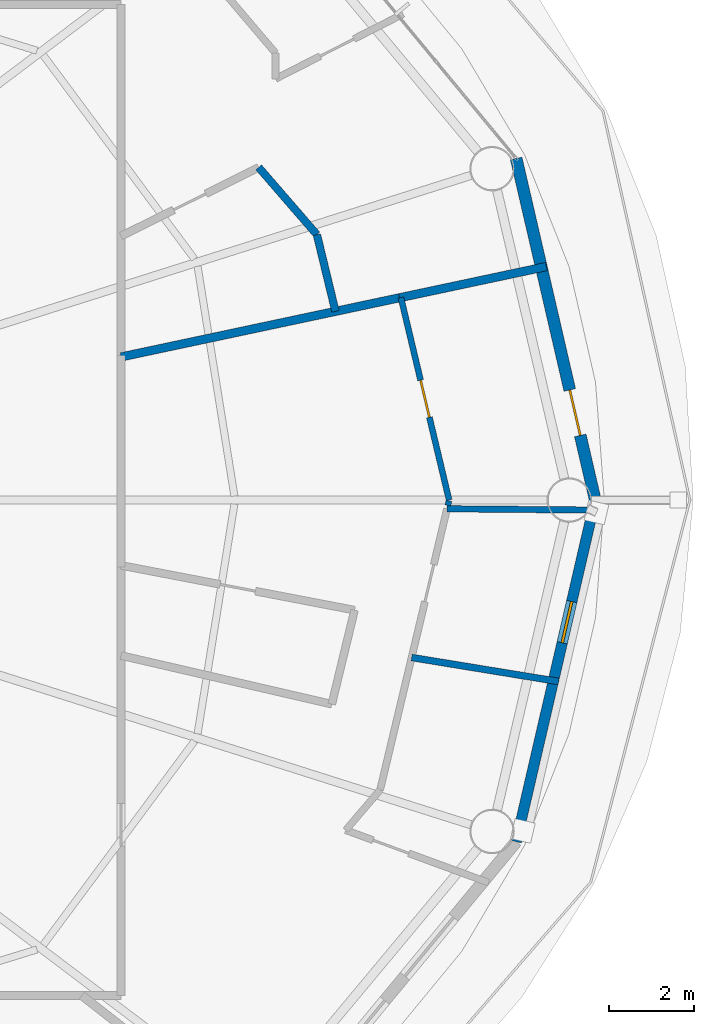
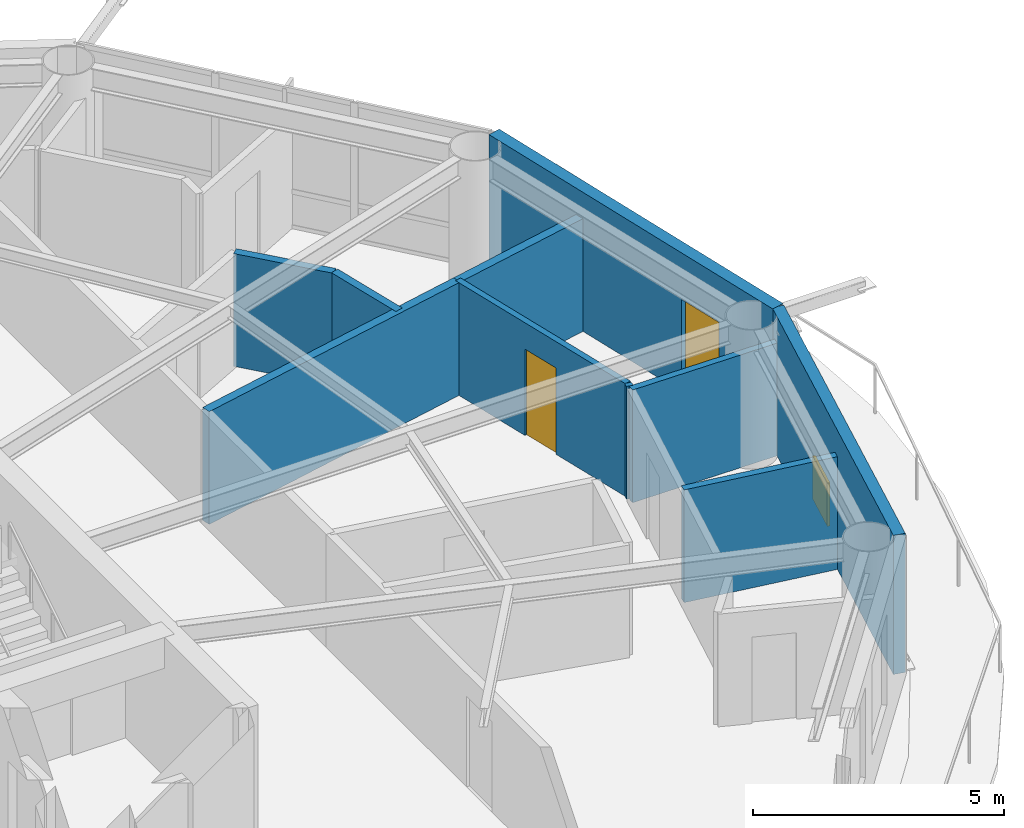
# One storey, part 24 of 30: 10 walls, 2 doors, 1 window, 3 openings.
"""IFC4 building model written with IfcOpenShell, lengths in metres."""

from ifc_helpers import new_model, si_unit, direction, frame, frame_2d, origin, place, context, subcontext, project, spatial, rectangle, extrude, material, layer, layer_set, type_object, element, fill, save


model = new_model("IFC4")

# Units and contexts
model_context = context("Model", 3, precision=1e-05, world=origin(), true_north=direction((0.0, 1.0)))
body_context = subcontext(model_context, "Body", "Model", "MODEL_VIEW")
ifc_project = project(units=[si_unit("LENGTHUNIT", "METRE"), si_unit("AREAUNIT", "SQUARE_METRE"), si_unit("VOLUMEUNIT", "CUBIC_METRE"), si_unit("PLANEANGLEUNIT", "RADIAN"), si_unit("MASSUNIT", "GRAM", prefix="KILO")], contexts=[model_context])

# Site, building, storey
site_placement = place(None, origin())
site = spatial("IfcSite", under=ifc_project, at=site_placement, CompositionType="ELEMENT")
building_placement = place(site_placement, origin())
building = spatial("IfcBuilding", under=site, at=building_placement, Name="Sarneth Arch Tower", CompositionType="ELEMENT")
storey_placement = place(building_placement, frame((0.0, 0.0, 168.60009765625)))
storey = spatial("IfcBuildingStorey", under=building, at=storey_placement, Name="L42", CompositionType="ELEMENT", Elevation=168.60009765625)

# Wall, opening, window
ifc_material_1 = material(Name="Extruded terracotta rainscreen on Concrete C40/50 backing", Category="masonry")
ifc_layer_1 = layer(ifc_material_1, 0.25)
ifc_layer_set_1 = layer_set([ifc_layer_1], Name="Extruded terracotta rainscreen on Concrete C40/50 backing")
wall_type_1 = type_object("IfcWallType", Name="WALL-EXT-SPAND-250", PredefinedType="SOLIDWALL", material=ifc_layer_set_1)
wall_1_placement = place(storey_placement, frame((73.232421875, 33.93310546875, 0.0), z_axis=(0.0, 0.0, 1.0), x_axis=(0.225473184558, 0.974249374157, 0.0)))
wall_1 = element("IfcWall", 1, at=wall_1_placement, inside=storey, type_object=wall_type_1, Name="L42 Terracotta perimeter wall 16", PredefinedType="SOLIDWALL", context=body_context, shape_type="SweptSolid", body=[
    extrude(rectangle(XDim=8.280029296875, YDim=0.25, at=frame_2d((4.14013671875, 0.0))), origin(), (0.0, 0.0, 1.0), 3.3798828125),
])
opening_1_placement = place(wall_1_placement, frame((4.82080078125, 0.0, 0.35009765625)))
opening_1 = element("IfcOpeningElement", 2, at=opening_1_placement, cuts=wall_1, Name="Opening W-14", PredefinedType="OPENING", context=body_context, shape_type="SweptSolid", body=[
    extrude(rectangle(XDim=1.0, YDim=1.050048828125, at=frame_2d((0.5, 0.52490234375))), frame((0.0, 0.135009765625, 0.0), z_axis=(0.0, -1.0, 0.0), x_axis=(1.0, 0.0, 0.0)), (0.0, 0.0, 1.0), 0.27001953125),
])
ifc_material_2 = material(Name="Thermally broken Aluminium 6063-T6 and low-e laminated IGU", Category="aluminium")
window_type = type_object("IfcWindowType", Name="WIN-TWR-1000x1050", PartitioningType="SINGLE_PANEL", PredefinedType="WINDOW", material=ifc_material_2)
window_placement = place(opening_1_placement, origin())
window = element("IfcWindow", 3, at=window_placement, inside=storey, type_object=window_type, Name="L42 Dwelling bedroom window 06", OverallHeight=1.050048828125, OverallWidth=1.0, PartitioningType="SINGLE_PANEL", PredefinedType="WINDOW", context=body_context, shape_type="SweptSolid", body=[
    extrude(rectangle(XDim=1.0, YDim=1.050048828125, at=frame_2d((0.5, 0.52490234375))), frame((0.0, 0.030029296875, 0.0), z_axis=(0.0, -1.0, 0.0), x_axis=(1.0, 0.0, 0.0)), (0.0, 0.0, 1.0), 0.06005859375),
])
fill(opening_1, window)

# Wall, opening, door
ifc_material_3 = material(Name="Extruded terracotta rainscreen on Concrete C40/50 backing", Category="masonry")
ifc_layer_2 = layer(ifc_material_3, 0.280029296875)
ifc_layer_set_2 = layer_set([ifc_layer_2], Name="Extruded terracotta rainscreen on Concrete C40/50 backing")
wall_type_2 = type_object("IfcWallType", Name="WALL-EXT-TERRA-280", PredefinedType="SOLIDWALL", material=ifc_layer_set_2)
wall_2_placement = place(storey_placement, frame((75.099365234375, 42.0, 0.0), z_axis=(0.0, 0.0, 1.0), x_axis=(-0.225473184558, 0.974249374157, 0.0)))
wall_2 = element("IfcWall", 4, at=wall_2_placement, inside=storey, type_object=wall_type_2, Name="L42 Terracotta perimeter wall 01", PredefinedType="SOLIDWALL", context=body_context, shape_type="SweptSolid", body=[
    extrude(rectangle(XDim=8.280029296875, YDim=0.280029296875, at=frame_2d((4.14013671875, 0.0))), origin(), (0.0, 0.0, 1.0), 3.3798828125),
])
opening_2_placement = place(wall_2_placement, frame((1.568115234375, 0.0, 0.0)))
opening_2 = element("IfcOpeningElement", 5, at=opening_2_placement, cuts=wall_2, Name="Opening BD-3", PredefinedType="OPENING", context=body_context, shape_type="SweptSolid", body=[
    extrude(rectangle(XDim=1.10009765625, YDim=2.25, at=frame_2d((0.550048828125, 1.125))), frame((0.0, 0.14990234375, 0.0), z_axis=(0.0, -1.0, 0.0), x_axis=(1.0, 0.0, 0.0)), (0.0, 0.0, 1.0), 0.300048828125),
])
ifc_material_4 = material(Name="Thermally broken Aluminium 6063-T6 and laminated safety glass", Category="aluminium")
door_type_1 = type_object("IfcDoorType", Name="DR-BALC-GLZ-1100", OperationType="SINGLE_SWING_LEFT", PredefinedType="DOOR", material=ifc_material_4)
door_1_placement = place(opening_2_placement, origin())
door_1 = element("IfcDoor", 6, at=door_1_placement, inside=storey, type_object=door_type_1, Name="L42 Balcony glazed door 01", OperationType="SINGLE_SWING_LEFT", OverallHeight=2.25, OverallWidth=1.10009765625, PredefinedType="DOOR", context=body_context, shape_type="SweptSolid", body=[
    extrude(rectangle(XDim=1.10009765625, YDim=2.25, at=frame_2d((0.550048828125, 1.125))), frame((0.0, 0.02490234375, 0.0), z_axis=(0.0, -1.0, 0.0), x_axis=(1.0, 0.0, 0.0)), (0.0, 0.0, 1.0), 0.050048828125),
])
fill(opening_2, door_1)

ifc_material_5 = material(Name="Apartment internal stud partition", Category="gypsum")
ifc_layer_3 = layer(ifc_material_5, 0.139892578125)
ifc_layer_set_3 = layer_set([ifc_layer_3], Name="Apartment internal stud partition")
wall_type_3 = type_object("IfcWallType", Name="WALL-PART-140", PredefinedType="PARTITIONING", material=ifc_layer_set_3)
wall_3_placement = place(storey_placement, frame((71.648681640625, 42.0, 0.0), z_axis=(0.0, 0.0, 1.0), x_axis=(-0.231622764326, 0.972805682059, 0.0)))
wall_3 = element("IfcWall", 7, at=wall_3_placement, inside=storey, type_object=wall_type_3, Name="L42 Interior partition W-L42-TP-117", PredefinedType="PARTITIONING", context=body_context, shape_type="SweptSolid", body=[
    extrude(rectangle(XDim=4.918212890625, YDim=0.139892578125, at=frame_2d((2.458984375, 0.0))), origin(), (0.0, 0.0, 1.0), 2.739990234375),
])
opening_3_placement = place(wall_3_placement, frame((2.009033203125, 0.0, 0.0)))
opening_3 = element("IfcOpeningElement", 8, at=opening_3_placement, cuts=wall_3, Name="Opening ID-01", PredefinedType="OPENING", context=body_context, shape_type="SweptSolid", body=[
    extrude(rectangle(XDim=0.89990234375, YDim=2.10009765625, at=frame_2d((0.449951171875, 1.050048828125))), frame((0.0, 0.079833984375, 0.0), z_axis=(0.0, -1.0, 0.0), x_axis=(1.0, 0.0, 0.0)), (0.0, 0.0, 1.0), 0.159912109375),
])
ifc_material_6 = material(Name="Engineered hardwood flush door", Category="wood")
door_type_2 = type_object("IfcDoorType", Name="DR-INT-900", OperationType="SINGLE_SWING_LEFT", PredefinedType="DOOR", material=ifc_material_6)
door_2_placement = place(opening_3_placement, origin())
door_2 = element("IfcDoor", 9, at=door_2_placement, inside=storey, type_object=door_type_2, Name="L42 Interior door DR-L42-U8-BED2", OperationType="SINGLE_SWING_RIGHT", OverallHeight=2.10009765625, OverallWidth=0.89990234375, PredefinedType="DOOR", context=body_context, shape_type="SweptSolid", body=[
    extrude(rectangle(XDim=0.89990234375, YDim=2.10009765625, at=frame_2d((0.449951171875, 1.050048828125))), frame((0.0, 0.02490234375, 0.0), z_axis=(0.0, -1.0, 0.0), x_axis=(1.0, 0.0, 0.0)), (0.0, 0.0, 1.0), 0.050048828125),
])
fill(opening_3, door_2)

# Walls
wall_4_placement = place(storey_placement, frame((71.6181640625, 41.871826171875, 0.0), z_axis=(0.0, 0.0, 1.0), x_axis=(0.233786115402, 0.972288050037, 0.0)))
element("IfcWall", 10, at=wall_4_placement, inside=storey, type_object=wall_type_3, Name="L42 Interior partition W-L42-TP-116", PredefinedType="PARTITIONING", context=body_context, shape_type="SweptSolid", body=[
    extrude(rectangle(XDim=0.11181640625, YDim=0.139892578125, at=frame_2d((0.055908203125, 0.0))), origin(), (0.0, 0.0, 1.0), 2.739990234375),
])
ifc_material_7 = material(Name="Acoustic gypsum stud partition", Category="gypsum")
ifc_layer_4 = layer(ifc_material_7, 0.14990234375)
ifc_layer_set_4 = layer_set([ifc_layer_4], Name="Acoustic gypsum stud partition")
wall_type_4 = type_object("IfcWallType", Name="WALL-PART-150", PredefinedType="PARTITIONING", material=ifc_layer_set_4)
wall_5_placement = place(storey_placement, frame((75.164794921875, 41.762939453125, 0.0), z_axis=(0.0, 0.0, 1.0), x_axis=(-0.999962184605, 0.00869651424, 0.0)))
element("IfcWall", 11, at=wall_5_placement, inside=storey, type_object=wall_type_4, Name="L42 Interior partition W-L42-TP-119", PredefinedType="PARTITIONING", context=body_context, shape_type="SweptSolid", body=[
    extrude(rectangle(XDim=3.5654296875, YDim=0.14990234375, at=frame_2d((1.78271484375, 0.0))), origin(), (0.0, 0.0, 1.0), 2.739990234375),
])
ifc_material_8 = material(Name="Kitchen wet service chase wall", Category="gypsum")
ifc_layer_5 = layer(ifc_material_8, 0.159912109375)
ifc_layer_set_5 = layer_set([ifc_layer_5], Name="Kitchen wet service chase wall")
wall_type_5 = type_object("IfcWallType", Name="WALL-PLUMB-160", PredefinedType="PLUMBINGWALL", material=ifc_layer_set_5)
wall_6_placement = place(storey_placement, frame((74.230712890625, 37.715576171875, 0.0), z_axis=(0.0, 0.0, 1.0), x_axis=(-0.986918442879, 0.161220306117, 0.0)))
element("IfcWall", 12, at=wall_6_placement, inside=storey, type_object=wall_type_5, Name="L42 Interior partition W-L42-TP-118", PredefinedType="PLUMBINGWALL", context=body_context, shape_type="SweptSolid", body=[
    extrude(rectangle(XDim=3.51318359375, YDim=0.159912109375, at=frame_2d((1.756591796875, 0.0))), origin(), (0.0, 0.0, 1.0), 2.739990234375),
])
ifc_material_9 = material(Name="Moisture-resistant plumbing chase wall", Category="gypsum")
ifc_layer_6 = layer(ifc_material_9, 0.179931640625)
ifc_layer_set_6 = layer_set([ifc_layer_6], Name="Moisture-resistant plumbing chase wall")
wall_type_6 = type_object("IfcWallType", Name="WALL-PLUMB-180", PredefinedType="PLUMBINGWALL", material=ifc_layer_set_6)
wall_7_placement = place(storey_placement, frame((68.526123046875, 48.268310546875, 0.0), z_axis=(0.0, 0.0, 1.0), x_axis=(-0.654594060889, 0.755980565524, 0.0)))
element("IfcWall", 13, at=wall_7_placement, inside=storey, type_object=wall_type_6, Name="L42 Interior partition W-L42-TP-027", PredefinedType="PLUMBINGWALL", context=body_context, shape_type="SweptSolid", body=[
    extrude(rectangle(XDim=2.099853515625, YDim=0.179931640625, at=frame_2d((1.0498046875, 0.0))), origin(), (0.0, 0.0, 1.0), 2.739990234375),
])
wall_8_placement = place(storey_placement, frame((68.965087890625, 46.456298828125, 0.0), z_axis=(0.0, 0.0, 1.0), x_axis=(-0.235442613623, 0.971888252676, 0.0)))
element("IfcWall", 14, at=wall_8_placement, inside=storey, type_object=wall_type_6, Name="L42 Interior partition W-L42-TP-026", PredefinedType="PLUMBINGWALL", context=body_context, shape_type="SweptSolid", body=[
    extrude(rectangle(XDim=1.864501953125, YDim=0.179931640625, at=frame_2d((0.93212890625, 0.0))), origin(), (0.0, 0.0, 1.0), 2.739990234375),
])
ifc_material_10 = material(Name="Double steel-stud acoustic drywall", Category="steel")
ifc_layer_7 = layer(ifc_material_10, 0.199951171875)
ifc_layer_set_7 = layer_set([ifc_layer_7], Name="Double steel-stud acoustic drywall")
wall_type_7 = type_object("IfcWallType", Name="WALL-UNIT-200", PredefinedType="PARTITIONING", material=ifc_layer_set_7)
wall_9_placement = place(storey_placement, frame((63.89990234375, 45.379638671875, 0.0), z_axis=(0.0, 0.0, 1.0), x_axis=(0.978145779981, 0.207920256603, 0.0)))
element("IfcWall", 15, at=wall_9_placement, inside=storey, type_object=wall_type_7, Name="L42 Interior partition W-L42-TP-038", PredefinedType="PARTITIONING", context=body_context, shape_type="SweptSolid", body=[
    extrude(rectangle(XDim=6.789306640625, YDim=0.199951171875, at=frame_2d((3.39453125, 0.0))), origin(), (0.0, 0.0, 1.0), 2.739990234375),
])
wall_10_placement = place(storey_placement, frame((73.946044921875, 47.51513671875, 0.0), z_axis=(0.0, 0.0, 1.0), x_axis=(-0.978135742848, -0.207967469966, 0.0)))
element("IfcWall", 16, at=wall_10_placement, inside=storey, type_object=wall_type_7, Name="L42 Interior partition W-L42-TP-036", PredefinedType="PARTITIONING", context=body_context, shape_type="SweptSolid", body=[
    extrude(rectangle(XDim=3.54541015625, YDim=0.199951171875, at=frame_2d((1.772705078125, 0.0))), origin(), (0.0, 0.0, 1.0), 2.739990234375),
])

save(model, "model.ifc")
